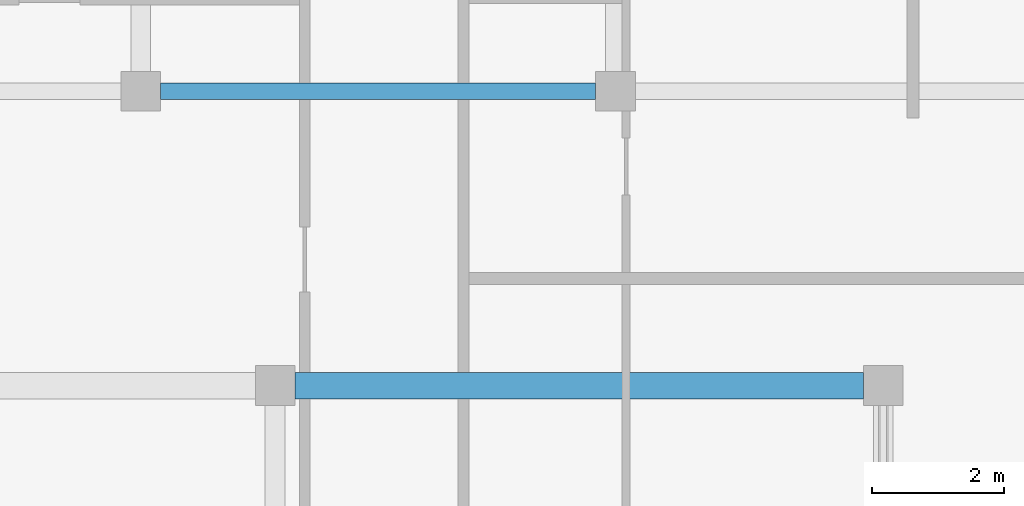
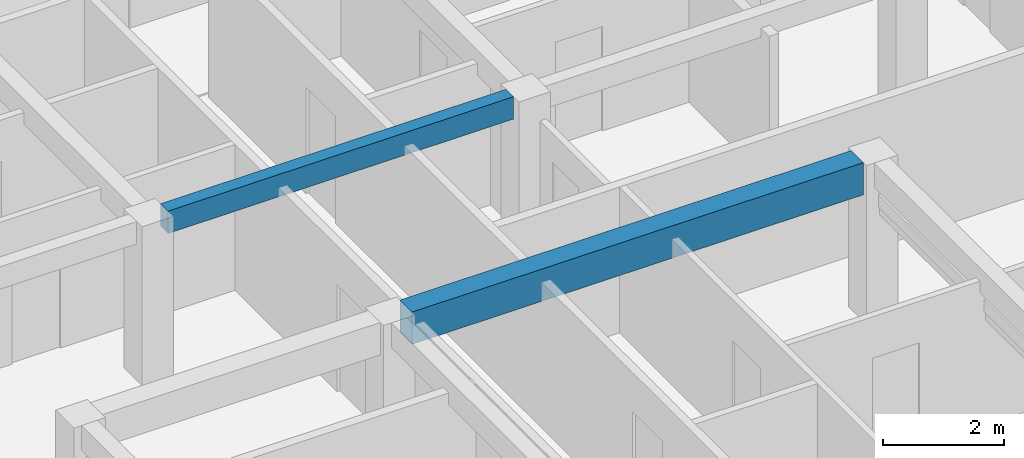
# One storey, part 14 of 72: 2 beams.
"""IFC4 building model written with IfcOpenShell, lengths in metres."""

import ifcopenshell
import ifcopenshell.guid

model = None  # the IFC model being written
_history = None  # IfcOwnerHistory: only IFC2X3 demands one
_inside = {}  # id of a spatial element -> (the spatial element, [elements in it])
_under = {}  # id of a project, library or spatial element -> (it, [spatial elements below it])
_declared = {}  # id of a project -> (the project, [libraries it declares])
_typed = {}  # id of a type object -> (the type object, [elements of that type])
_made_of = {}  # id of a material, layer set ... -> (it, [elements and type objects made of it])


def new_model(schema):
    """Start an empty IFC model of exactly this schema.

    Asked for "IFC4X3", IfcOpenShell would pick the latest addendum, in which some entities
    have other attributes; the version numbers below select the first issue.
    IFC2X3 requires an IfcOwnerHistory on every rooted entity: one is made here for all.
    """
    global model, _history
    if schema == "IFC4X3":
        model = ifcopenshell.file(schema_version=(4, 3, 0, 0))
    else:
        model = ifcopenshell.file(schema=schema)
    _inside.clear()
    _under.clear()
    _declared.clear()
    _typed.clear()
    _made_of.clear()
    _history = None
    if model.schema == "IFC2X3":
        org = make("IfcOrganization", Name="unknown")
        user = make(
            "IfcPersonAndOrganization",
            ThePerson=make("IfcPerson", FamilyName="unknown"),
            TheOrganization=org,
        )
        app = make(
            "IfcApplication",
            ApplicationDeveloper=org,
            Version="unknown",
            ApplicationFullName="unknown",
            ApplicationIdentifier="unknown",
        )
        _history = make(
            "IfcOwnerHistory",
            OwningUser=user,
            OwningApplication=app,
            ChangeAction="ADDED",
            CreationDate=0,
        )
    return model


def make(cls, **values):
    """One entity of the class cls with the attributes given. An attribute that is None is left unset."""
    return model.create_entity(
        cls, **{name: value for name, value in values.items() if value is not None}
    )


def rooted(cls, **values):
    """An entity with a GlobalId (a new one), such as an element, a storey or a relation."""
    return make(cls, GlobalId=ifcopenshell.guid.new(), OwnerHistory=_history, **values)


def si_unit(unit_type, name, prefix=None):
    """IfcSIUnit, for example si_unit("LENGTHUNIT", "METRE", prefix="MILLI")."""
    return make("IfcSIUnit", UnitType=unit_type, Prefix=prefix, Name=name)


def assignment(units):
    """IfcUnitAssignment: the units of a project."""
    return None if units is None else make("IfcUnitAssignment", Units=units)


def point(xyz):
    """IfcCartesianPoint."""
    return None if xyz is None else make("IfcCartesianPoint", Coordinates=xyz)


def direction(xyz):
    """IfcDirection."""
    return None if xyz is None else make("IfcDirection", DirectionRatios=xyz)


def frame(location, z_axis=None, x_axis=None):
    """IfcAxis2Placement3D, a coordinate frame: its origin and axes. An axis left out is left unset."""
    return make(
        "IfcAxis2Placement3D",
        Location=point(location),
        Axis=direction(z_axis),
        RefDirection=direction(x_axis),
    )


def frame_2d(location, x_axis=None):
    """IfcAxis2Placement2D, a coordinate frame in the plane: its origin and x axis."""
    return make(
        "IfcAxis2Placement2D", Location=point(location), RefDirection=direction(x_axis)
    )


def origin():
    """The frame at (0, 0, 0) with its axes left unset."""
    return frame((0.0, 0.0, 0.0))


def origin_2d():
    """The frame at (0, 0) in the plane with its x axis left unset."""
    return frame_2d((0.0, 0.0))


def place(relative_to, where):
    """IfcLocalPlacement: puts the frame where relative to a parent placement (None: the world)."""
    return make(
        "IfcLocalPlacement", PlacementRelTo=relative_to, RelativePlacement=where
    )


def context(
    kind, dimensions, precision=None, world=None, true_north=None, identifier=None
):
    """IfcGeometricRepresentationContext, for example the 3D "Model" context."""
    return make(
        "IfcGeometricRepresentationContext",
        ContextIdentifier=identifier,
        ContextType=kind,
        CoordinateSpaceDimension=dimensions,
        Precision=precision,
        WorldCoordinateSystem=world,
        TrueNorth=true_north,
    )


def subcontext(parent, identifier, kind, view, scale=None):
    """IfcGeometricRepresentationSubContext, for example "Body" below "Model"."""
    return make(
        "IfcGeometricRepresentationSubContext",
        ContextIdentifier=identifier,
        ContextType=kind,
        ParentContext=parent,
        TargetScale=scale,
        TargetView=view,
    )


def project(units=None, contexts=None):
    """IfcProject with its units and contexts."""
    return rooted(
        "IfcProject",
        Name="project",
        RepresentationContexts=contexts,
        UnitsInContext=assignment(units),
    )


def spatial(cls, under=None, at=None, **own):
    """A site, building, storey or space (cls), placed at a placement, below another one or the project."""
    s = rooted(cls, ObjectPlacement=at, **own)
    if under is not None:
        _under.setdefault(under.id(), (under, []))[1].append(s)
    return s


def profile(cls, at=None, kind="AREA", **sizes):
    """A parametric profile (cls). Its sizes go by their IFC names, for example OverallWidth=200.0."""
    return make(cls, ProfileType=kind, Position=at, **sizes)


def rectangle(**sizes):
    """IfcRectangleProfileDef."""
    return profile("IfcRectangleProfileDef", **sizes)


def extrude(swept, where, along, depth):
    """IfcExtrudedAreaSolid: the profile swept, set in the frame where, extruded along a direction by depth."""
    return make(
        "IfcExtrudedAreaSolid",
        SweptArea=swept,
        Position=where,
        ExtrudedDirection=direction(along),
        Depth=depth,
    )


def shape(context_of_items, identifier, shape_type, items):
    """IfcShapeRepresentation: the items that make up one representation, for example the "Body"."""
    return make(
        "IfcShapeRepresentation",
        ContextOfItems=context_of_items,
        RepresentationIdentifier=identifier,
        RepresentationType=shape_type,
        Items=items,
    )


def material(Name=None, Category=None):
    """IfcMaterial."""
    return make("IfcMaterial", Name=Name, Category=Category)


def material_profile(
    of_material, cross_section, Name=None, Category=None, Priority=None
):
    """IfcMaterialProfile: a cross section and its material."""
    return make(
        "IfcMaterialProfile",
        Name=Name,
        Material=of_material,
        Profile=cross_section,
        Priority=Priority,
        Category=Category,
    )


def profile_set(profiles, Name=None, composite=None):
    """IfcMaterialProfileSet."""
    return make(
        "IfcMaterialProfileSet",
        Name=Name,
        MaterialProfiles=profiles,
        CompositeProfile=composite,
    )


def made_of(thing, what):
    """Note that an element or type object is made of a material, layer set ...; save() writes the relation."""
    if what is not None:
        _made_of.setdefault(what.id(), (what, []))[1].append(thing)
    return thing


def type_object(cls, material=None, **own):
    """A type object (cls), such as IfcWallType, which elements share."""
    return made_of(rooted(cls, **own), material)


def element(
    cls,
    number,
    at=None,
    inside=None,
    cuts=None,
    type_object=None,
    material=None,
    context=None,
    identifier="Body",
    shape_type=None,
    held_by="IfcProductDefinitionShape",
    body=None,
    shapes=None,
    **own,
):
    """One element of the class cls, such as IfcWall. Its Tag is "e" and its number.

    at: its placement. inside: the storey or other place that contains it. cuts: it is an
    opening in that element (IfcRelVoidsElement). A single representation is given by context,
    identifier, shape_type and body (its items); several are given by shapes. held_by: the class
    of the entity that holds the representations. save() writes the other relations.
    """
    e = rooted(cls, Tag="e%d" % number, ObjectPlacement=at, **own)
    if body is not None:
        shapes = [shape(context, identifier, shape_type, body)]
    if shapes is not None:
        e.Representation = make(held_by, Representations=shapes)
    if inside is not None:
        _inside.setdefault(inside.id(), (inside, []))[1].append(e)
    if cuts is not None:
        rooted(
            "IfcRelVoidsElement", RelatingBuildingElement=cuts, RelatedOpeningElement=e
        )
    if type_object is not None:
        _typed.setdefault(type_object.id(), (type_object, []))[1].append(e)
    return made_of(e, material)


def aggregate(whole, parts):
    """IfcRelAggregates: a whole, such as a stair, and the parts it consists of."""
    return rooted("IfcRelAggregates", RelatingObject=whole, RelatedObjects=parts)


def save(model, path):
    """Write the relations noted so far, then the file.

    IfcRelAggregates (storeys below a building ...), IfcRelContainedInSpatialStructure (elements
    in a storey), IfcRelDefinesByType, IfcRelAssociatesMaterial and IfcRelDeclares: one each for
    every whole, place, type object, material and project.
    """
    for whole, parts in _under.values():
        aggregate(whole, parts)
    for where, things in _inside.values():
        rooted(
            "IfcRelContainedInSpatialStructure",
            RelatedElements=things,
            RelatingStructure=where,
        )
    for kind, things in _typed.values():
        rooted("IfcRelDefinesByType", RelatedObjects=things, RelatingType=kind)
    for what, things in _made_of.values():
        rooted("IfcRelAssociatesMaterial", RelatedObjects=things, RelatingMaterial=what)
    for by, libraries in _declared.values():
        rooted("IfcRelDeclares", RelatingContext=by, RelatedDefinitions=libraries)
    model.write(path)


model = new_model("IFC4")

# Units and contexts
model_context = context("Model", 3, precision=1e-05, world=origin(), true_north=direction((0.0, 1.0)))
body_context = subcontext(model_context, "Body", "Model", "MODEL_VIEW")
ifc_project = project(units=[si_unit("LENGTHUNIT", "METRE"), si_unit("AREAUNIT", "SQUARE_METRE"), si_unit("VOLUMEUNIT", "CUBIC_METRE"), si_unit("PLANEANGLEUNIT", "RADIAN"), si_unit("MASSUNIT", "GRAM", prefix="KILO")], contexts=[model_context])

# Site, building, storey
site_placement = place(None, origin())
site = spatial("IfcSite", under=ifc_project, at=site_placement, CompositionType="ELEMENT")
building_placement = place(site_placement, origin())
building = spatial("IfcBuilding", under=site, at=building_placement, Name="Keldmere Railside Commons", CompositionType="ELEMENT")
storey_placement = place(building_placement, frame((0.0, 0.0, 16.9599609375)))
storey = spatial("IfcBuildingStorey", under=building, at=storey_placement, Name="L05", CompositionType="ELEMENT", Elevation=16.9599609375)

# Beams
ifc_material_1 = material(Name="Architectural Precast Concrete H-35 (C35/45)", Category="concrete")
ifc_material_profile_1 = material_profile(ifc_material_1, rectangle(XDim=0.25, YDim=0.449951171875, at=origin_2d()), Name="RC-250x450")
ifc_profile_set_1 = profile_set([ifc_material_profile_1], Name="Architectural Precast Concrete H-35 (C35/45)")
beam_type_1 = type_object("IfcBeamType", Name="Perimeter Precast Spandrel Beam 250x450", PredefinedType="SPANDREL", material=ifc_profile_set_1)
beam_1_placement = place(storey_placement, frame((108.616943359375, 100.449951171875, 2.97509765625), z_axis=(1.0, 0.0, 0.0), x_axis=(0.0, 1.0, 0.0)))
element("IfcBeam", 1, at=beam_1_placement, inside=storey, type_object=beam_type_1, Name="SPB-1 BM-L05-1734", PredefinedType="SPANDREL", context=body_context, shape_type="SweptSolid", body=[
    extrude(rectangle(XDim=0.25, YDim=0.449951171875, at=origin_2d()), origin(), (0.0, 0.0, 1.0), 6.5830078125),
])
ifc_material_2 = material(Name="Concrete H-30 (C30/37)", Category="concrete")
ifc_material_profile_2 = material_profile(ifc_material_2, rectangle(XDim=0.39990234375, YDim=0.64990234375, at=origin_2d()), Name="RC-400x650")
ifc_profile_set_2 = profile_set([ifc_material_profile_2], Name="Concrete H-30 (C30/37)")
beam_type_2 = type_object("IfcBeamType", Name="Residential Spine RC Girder 400x650", PredefinedType="BEAM", material=ifc_profile_set_2)
beam_2_placement = place(storey_placement, frame((110.64990234375, 96.0, 2.875), z_axis=(1.0, 0.0, 0.0), x_axis=(0.0, 1.0, 0.0)))
element("IfcBeam", 2, at=beam_2_placement, inside=storey, type_object=beam_type_2, Name="BG-3 BM-L05-1725", PredefinedType="BEAM", context=body_context, shape_type="SweptSolid", body=[
    extrude(rectangle(XDim=0.39990234375, YDim=0.64990234375, at=origin_2d()), origin(), (0.0, 0.0, 1.0), 8.60009765625),
])

save(model, "model.ifc")
